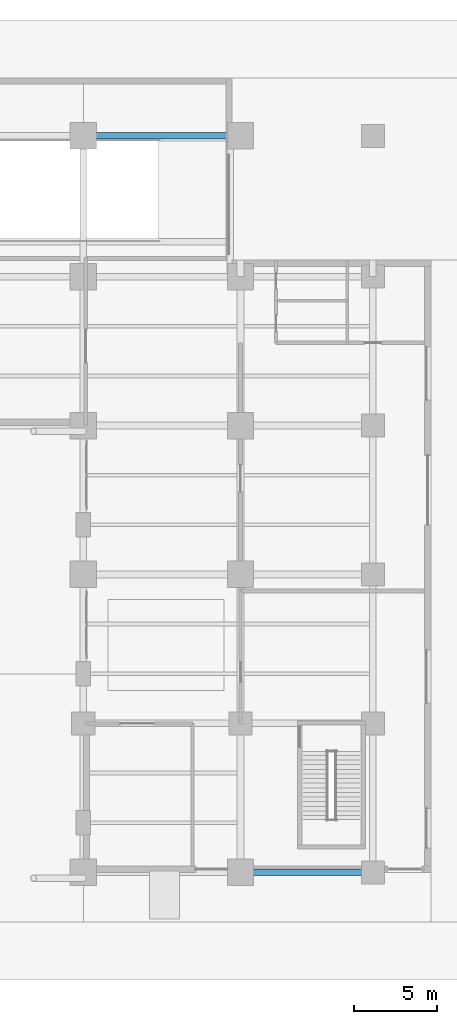
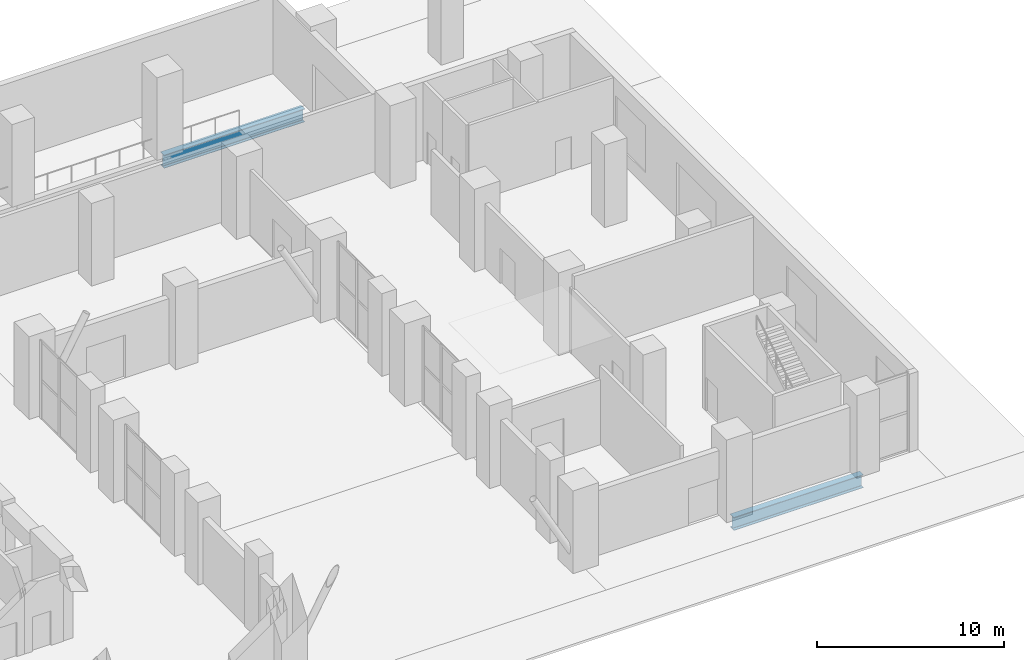
# One storey, part 7 of 17: 2 beams.
"""IFC4 building model written with IfcOpenShell, lengths in metres."""

from ifc_helpers import new_model, si_unit, direction, frame, origin, origin_2d, place, context, subcontext, project, spatial, i_section, extrude, material, material_profile, profile_set, type_object, element, save


model = new_model("IFC4")

# Units and contexts
model_context = context("Model", 3, precision=1e-05, world=origin(), true_north=direction((0.0, 1.0)))
body_context = subcontext(model_context, "Body", "Model", "MODEL_VIEW")
ifc_project = project(units=[si_unit("LENGTHUNIT", "METRE"), si_unit("AREAUNIT", "SQUARE_METRE"), si_unit("VOLUMEUNIT", "CUBIC_METRE"), si_unit("PLANEANGLEUNIT", "RADIAN"), si_unit("MASSUNIT", "GRAM", prefix="KILO")], contexts=[model_context])

# Site, building, storey
site_placement = place(None, origin())
site = spatial("IfcSite", under=ifc_project, at=site_placement, CompositionType="ELEMENT")
building_placement = place(site_placement, origin())
building = spatial("IfcBuilding", under=site, at=building_placement, Name="Mawjdan Bourse Tower", CompositionType="ELEMENT")
storey_placement = place(building_placement, origin())
storey = spatial("IfcBuildingStorey", under=building, at=storey_placement, Name="L00", CompositionType="ELEMENT", Elevation=0.0)

# Beams
ifc_material = material(Name="Structural Steel S355", Category="steel")
ifc_material_profile = material_profile(ifc_material, i_section(OverallWidth=0.39892578125, OverallDepth=0.85595703125, WebThickness=0.018310546875, FlangeThickness=0.029296875, FilletRadius=0.0234375, at=origin_2d()), Name="W33X201")
ifc_profile_set = profile_set([ifc_material_profile], Name="Structural Steel S355")
beam_type = type_object("IfcBeamType", Name="GRD-W33X201", PredefinedType="BEAM", material=ifc_profile_set)
beam_1_placement = place(storey_placement, frame((60.5, 3.0, -0.72802734375), z_axis=(1.0, 0.0, 0.0), x_axis=(0.0, 1.0, 0.0)))
element("IfcBeam", 1, at=beam_1_placement, inside=storey, type_object=beam_type, Name="L00 Podium Tie Girder 047", PredefinedType="BEAM", context=body_context, shape_type="SweptSolid", body=[
    extrude(i_section(OverallWidth=0.39892578125, OverallDepth=0.85595703125, WebThickness=0.018310546875, FlangeThickness=0.029296875, FilletRadius=0.0234375, at=origin_2d()), origin(), (0.0, 0.0, 1.0), 8.0),
])
beam_2_placement = place(storey_placement, frame((51.0, 47.5, -0.72802734375), z_axis=(1.0, 0.0, 0.0), x_axis=(0.0, 1.0, 0.0)))
element("IfcBeam", 2, at=beam_2_placement, inside=storey, type_object=beam_type, Name="L00 Podium Tie Girder 078", PredefinedType="BEAM", context=body_context, shape_type="SweptSolid", body=[
    extrude(i_section(OverallWidth=0.39892578125, OverallDepth=0.85595703125, WebThickness=0.018310546875, FlangeThickness=0.029296875, FilletRadius=0.0234375, at=origin_2d()), origin(), (0.0, 0.0, 1.0), 8.6826171875),
])

save(model, "model.ifc")
